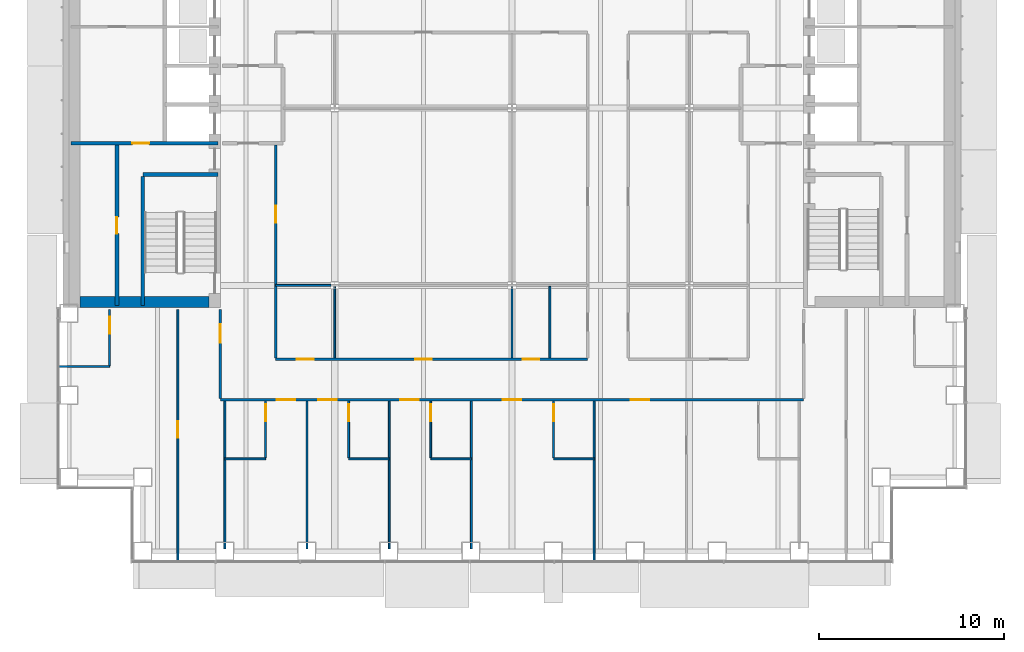
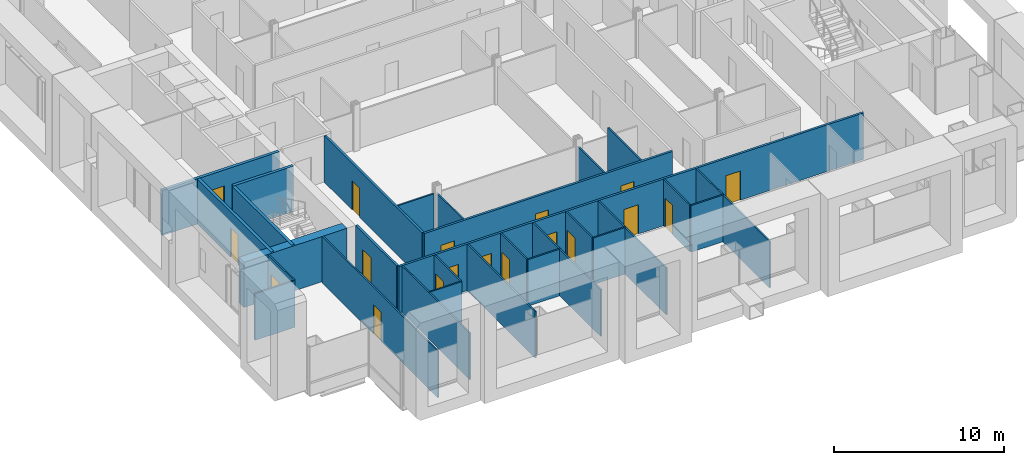
# One storey, part 14 of 25: 29 walls, 18 doors, 18 openings.
"""IFC4 building model written with IfcOpenShell, lengths in metres."""

from ifc_helpers import new_model, si_unit, direction, frame, frame_2d, origin, place, context, subcontext, project, spatial, rectangle, extrude, material, layer, layer_set, type_object, element, fill, save


model = new_model("IFC4")

# Units and contexts
model_context = context("Model", 3, precision=1e-05, world=origin(), true_north=direction((0.0, 1.0)))
body_context = subcontext(model_context, "Body", "Model", "MODEL_VIEW")
ifc_project = project(units=[si_unit("LENGTHUNIT", "METRE"), si_unit("AREAUNIT", "SQUARE_METRE"), si_unit("VOLUMEUNIT", "CUBIC_METRE"), si_unit("PLANEANGLEUNIT", "RADIAN"), si_unit("MASSUNIT", "GRAM", prefix="KILO")], contexts=[model_context])

# Site, building, storey
site_placement = place(None, origin())
site = spatial("IfcSite", under=ifc_project, at=site_placement, CompositionType="ELEMENT")
building_placement = place(site_placement, origin())
building = spatial("IfcBuilding", under=site, at=building_placement, Name="Cobrizo Arcos Hotel Tower", CompositionType="ELEMENT")
storey_placement = place(building_placement, frame((0.0, 0.0, 53.0)))
storey = spatial("IfcBuildingStorey", under=building, at=storey_placement, Name="L11", CompositionType="ELEMENT", Elevation=53.0)

# Wall, openings, doors
ifc_material_1 = material(Name="Gypsum board partition")
ifc_layer_1 = layer(ifc_material_1, 0.14990234375)
ifc_layer_set_1 = layer_set([ifc_layer_1], Name="Corridor wall EI 60 150")
wall_type_1 = type_object("IfcWallType", Name="Corridor wall EI 60 150", PredefinedType="PARTITIONING", material=ifc_layer_set_1)
wall_1_placement = place(storey_placement, frame((-15.800048828125, -15.800048828125, 0.0), z_axis=(0.0, 0.0, 1.0), x_axis=(1.0, 0.0, 0.0)))
wall_1 = element("IfcWall", 1, at=wall_1_placement, inside=storey, type_object=wall_type_1, Name="Partition 006", PredefinedType="PARTITIONING", context=body_context, shape_type="SweptSolid", body=[
    extrude(rectangle(XDim=31.60009765625, YDim=0.14990234375, at=frame_2d((15.800048828125, 0.0))), origin(), (0.0, 0.0, 1.0), 3.35009765625),
])
opening_1_placement = place(wall_1_placement, frame((3.06689453125, 0.0, 0.0)))
opening_1 = element("IfcOpeningElement", 2, at=opening_1_placement, cuts=wall_1, Name="Opening GD-07", PredefinedType="OPENING", context=body_context, shape_type="SweptSolid", body=[
    extrude(rectangle(XDim=1.0, YDim=2.10009765625, at=frame_2d((0.5, 1.050048828125))), frame((0.0, 0.0869140625, 0.0), z_axis=(0.0, -1.0, 0.0), x_axis=(1.0, 0.0, 0.0)), (0.0, 0.0, 1.0), 0.173828125),
])
opening_2_placement = place(wall_1_placement, frame((5.31103515625, 0.0, 0.0)))
opening_2 = element("IfcOpeningElement", 3, at=opening_2_placement, cuts=wall_1, Name="Opening GD-08", PredefinedType="OPENING", context=body_context, shape_type="SweptSolid", body=[
    extrude(rectangle(XDim=1.0, YDim=2.10009765625, at=frame_2d((0.5, 1.050048828125))), frame((0.0, 0.0869140625, 0.0), z_axis=(0.0, -1.0, 0.0), x_axis=(1.0, 0.0, 0.0)), (0.0, 0.0, 1.0), 0.173828125),
])
opening_3_placement = place(wall_1_placement, frame((9.756103515625, 0.0, 0.0)))
opening_3 = element("IfcOpeningElement", 4, at=opening_3_placement, cuts=wall_1, Name="Opening GD-09", PredefinedType="OPENING", context=body_context, shape_type="SweptSolid", body=[
    extrude(rectangle(XDim=1.0, YDim=2.10009765625, at=frame_2d((0.5, 1.050048828125))), frame((0.0, 0.0869140625, 0.0), z_axis=(0.0, -1.0, 0.0), x_axis=(1.0, 0.0, 0.0)), (0.0, 0.0, 1.0), 0.173828125),
])
opening_4_placement = place(wall_1_placement, frame((15.31103515625, 0.0, 0.0)))
opening_4 = element("IfcOpeningElement", 5, at=opening_4_placement, cuts=wall_1, Name="Opening GD-10", PredefinedType="OPENING", context=body_context, shape_type="SweptSolid", body=[
    extrude(rectangle(XDim=1.0, YDim=2.10009765625, at=frame_2d((0.5, 1.050048828125))), frame((0.0, 0.0869140625, 0.0), z_axis=(0.0, -1.0, 0.0), x_axis=(1.0, 0.0, 0.0)), (0.0, 0.0, 1.0), 0.173828125),
])
opening_5_placement = place(wall_1_placement, frame((22.2451171875, 0.0, 0.0)))
opening_5 = element("IfcOpeningElement", 6, at=opening_5_placement, cuts=wall_1, Name="Opening GD-11", PredefinedType="OPENING", context=body_context, shape_type="SweptSolid", body=[
    extrude(rectangle(XDim=1.0, YDim=2.10009765625, at=frame_2d((0.5, 1.050048828125))), frame((0.0, 0.0869140625, 0.0), z_axis=(0.0, -1.0, 0.0), x_axis=(1.0, 0.0, 0.0)), (0.0, 0.0, 1.0), 0.173828125),
])
ifc_material_2 = material(Name="Timber door leaf", Category="wood")
door_type_1 = type_object("IfcDoorType", Name="Guest room door FD30S 1000x2100", OperationType="SINGLE_SWING_LEFT", PredefinedType="DOOR", material=ifc_material_2)
door_1_placement = place(opening_1_placement, origin())
door_1 = element("IfcDoor", 7, at=door_1_placement, inside=storey, type_object=door_type_1, Name="Door GD-07", OperationType="SINGLE_SWING_LEFT", OverallHeight=2.10009765625, OverallWidth=1.0, PredefinedType="DOOR", context=body_context, shape_type="SweptSolid", body=[
    extrude(rectangle(XDim=1.0, YDim=2.10009765625, at=frame_2d((0.5, 1.050048828125))), frame((0.0, 0.02490234375, 0.0), z_axis=(0.0, -1.0, 0.0), x_axis=(1.0, 0.0, 0.0)), (0.0, 0.0, 1.0), 0.050048828125),
])
fill(opening_1, door_1)
door_2_placement = place(opening_2_placement, origin())
door_2 = element("IfcDoor", 8, at=door_2_placement, inside=storey, type_object=door_type_1, Name="Door GD-08", OperationType="SINGLE_SWING_LEFT", OverallHeight=2.10009765625, OverallWidth=1.0, PredefinedType="DOOR", context=body_context, shape_type="SweptSolid", body=[
    extrude(rectangle(XDim=1.0, YDim=2.10009765625, at=frame_2d((0.5, 1.050048828125))), frame((0.0, 0.02490234375, 0.0), z_axis=(0.0, -1.0, 0.0), x_axis=(1.0, 0.0, 0.0)), (0.0, 0.0, 1.0), 0.050048828125),
])
fill(opening_2, door_2)
door_3_placement = place(opening_3_placement, origin())
door_3 = element("IfcDoor", 9, at=door_3_placement, inside=storey, type_object=door_type_1, Name="Door GD-09", OperationType="SINGLE_SWING_LEFT", OverallHeight=2.10009765625, OverallWidth=1.0, PredefinedType="DOOR", context=body_context, shape_type="SweptSolid", body=[
    extrude(rectangle(XDim=1.0, YDim=2.10009765625, at=frame_2d((0.5, 1.050048828125))), frame((0.0, 0.02490234375, 0.0), z_axis=(0.0, -1.0, 0.0), x_axis=(1.0, 0.0, 0.0)), (0.0, 0.0, 1.0), 0.050048828125),
])
fill(opening_3, door_3)
door_4_placement = place(opening_4_placement, origin())
door_4 = element("IfcDoor", 10, at=door_4_placement, inside=storey, type_object=door_type_1, Name="Door GD-10", OperationType="SINGLE_SWING_RIGHT", OverallHeight=2.10009765625, OverallWidth=1.0, PredefinedType="DOOR", context=body_context, shape_type="SweptSolid", body=[
    extrude(rectangle(XDim=1.0, YDim=2.10009765625, at=frame_2d((0.5, 1.050048828125))), frame((0.0, 0.02490234375, 0.0), z_axis=(0.0, -1.0, 0.0), x_axis=(1.0, 0.0, 0.0)), (0.0, 0.0, 1.0), 0.050048828125),
])
fill(opening_4, door_4)
door_5_placement = place(opening_5_placement, origin())
door_5 = element("IfcDoor", 11, at=door_5_placement, inside=storey, type_object=door_type_1, Name="Door GD-11", OperationType="SINGLE_SWING_LEFT", OverallHeight=2.10009765625, OverallWidth=1.0, PredefinedType="DOOR", context=body_context, shape_type="SweptSolid", body=[
    extrude(rectangle(XDim=1.0, YDim=2.10009765625, at=frame_2d((0.5, 1.050048828125))), frame((0.0, 0.02490234375, 0.0), z_axis=(0.0, -1.0, 0.0), x_axis=(1.0, 0.0, 0.0)), (0.0, 0.0, 1.0), 0.050048828125),
])
fill(opening_5, door_5)

wall_2_placement = place(storey_placement, frame((-12.800048828125, -13.60009765625, 0.0), z_axis=(0.0, 0.0, 1.0), x_axis=(1.0, 0.0, 0.0)))
wall_2 = element("IfcWall", 12, at=wall_2_placement, inside=storey, type_object=wall_type_1, Name="Partition 009", PredefinedType="PARTITIONING", context=body_context, shape_type="SweptSolid", body=[
    extrude(rectangle(XDim=16.900146484375, YDim=0.14990234375, at=frame_2d((8.4501953125, 0.0))), origin(), (0.0, 0.0, 1.0), 3.35009765625),
])
opening_6_placement = place(wall_2_placement, frame((1.14990234375, 0.0, 0.0)))
opening_6 = element("IfcOpeningElement", 13, at=opening_6_placement, cuts=wall_2, Name="Opening RD-16", PredefinedType="OPENING", context=body_context, shape_type="SweptSolid", body=[
    extrude(rectangle(XDim=0.89990234375, YDim=2.10009765625, at=frame_2d((0.449951171875, 1.050048828125))), frame((0.0, 0.0869140625, 0.0), z_axis=(0.0, -1.0, 0.0), x_axis=(1.0, 0.0, 0.0)), (0.0, 0.0, 1.0), 0.173828125),
])
opening_7_placement = place(wall_2_placement, frame((13.375, 0.0, 0.0)))
opening_7 = element("IfcOpeningElement", 14, at=opening_7_placement, cuts=wall_2, Name="Opening ED-16", PredefinedType="OPENING", context=body_context, shape_type="SweptSolid", body=[
    extrude(rectangle(XDim=0.89990234375, YDim=2.10009765625, at=frame_2d((0.449951171875, 1.050048828125))), frame((0.0, 0.0869140625, 0.0), z_axis=(0.0, -1.0, 0.0), x_axis=(1.0, 0.0, 0.0)), (0.0, 0.0, 1.0), 0.173828125),
])
opening_8_placement = place(wall_2_placement, frame((7.550048828125, 0.0, 0.0)))
opening_8 = element("IfcOpeningElement", 15, at=opening_8_placement, cuts=wall_2, Name="Opening RD-28", PredefinedType="OPENING", context=body_context, shape_type="SweptSolid", body=[
    extrude(rectangle(XDim=0.89990234375, YDim=2.10009765625, at=frame_2d((0.449951171875, 1.050048828125))), frame((0.0, 0.0869140625, 0.0), z_axis=(0.0, -1.0, 0.0), x_axis=(1.0, 0.0, 0.0)), (0.0, 0.0, 1.0), 0.173828125),
])
door_type_2 = type_object("IfcDoorType", Name="En-suite door 900x2100", OperationType="SINGLE_SWING_LEFT", PredefinedType="DOOR", material=ifc_material_2)
door_6_placement = place(opening_7_placement, origin())
door_6 = element("IfcDoor", 16, at=door_6_placement, inside=storey, type_object=door_type_2, Name="Door ED-16", OperationType="SINGLE_SWING_LEFT", OverallHeight=2.10009765625, OverallWidth=0.89990234375, PredefinedType="DOOR", context=body_context, shape_type="SweptSolid", body=[
    extrude(rectangle(XDim=0.89990234375, YDim=2.10009765625, at=frame_2d((0.449951171875, 1.050048828125))), frame((0.0, 0.02490234375, 0.0), z_axis=(0.0, -1.0, 0.0), x_axis=(1.0, 0.0, 0.0)), (0.0, 0.0, 1.0), 0.050048828125),
])
fill(opening_7, door_6)
door_type_3 = type_object("IfcDoorType", Name="Room door FD30 900x2100", OperationType="SINGLE_SWING_LEFT", PredefinedType="DOOR", material=ifc_material_2)
door_7_placement = place(opening_6_placement, origin())
door_7 = element("IfcDoor", 17, at=door_7_placement, inside=storey, type_object=door_type_3, Name="Door RD-16", OperationType="SINGLE_SWING_RIGHT", OverallHeight=2.10009765625, OverallWidth=0.89990234375, PredefinedType="DOOR", context=body_context, shape_type="SweptSolid", body=[
    extrude(rectangle(XDim=0.89990234375, YDim=2.10009765625, at=frame_2d((0.449951171875, 1.050048828125))), frame((0.0, 0.02490234375, 0.0), z_axis=(0.0, -1.0, 0.0), x_axis=(1.0, 0.0, 0.0)), (0.0, 0.0, 1.0), 0.050048828125),
])
fill(opening_6, door_7)
door_8_placement = place(opening_8_placement, origin())
door_8 = element("IfcDoor", 18, at=door_8_placement, inside=storey, type_object=door_type_3, Name="Door RD-28", OperationType="SINGLE_SWING_LEFT", OverallHeight=2.10009765625, OverallWidth=0.89990234375, PredefinedType="DOOR", context=body_context, shape_type="SweptSolid", body=[
    extrude(rectangle(XDim=0.89990234375, YDim=2.10009765625, at=frame_2d((0.449951171875, 1.050048828125))), frame((0.0, 0.02490234375, 0.0), z_axis=(0.0, -1.0, 0.0), x_axis=(1.0, 0.0, 0.0)), (0.0, 0.0, 1.0), 0.050048828125),
])
fill(opening_8, door_8)

# Wall, opening, door
wall_3_placement = place(storey_placement, frame((-15.800048828125, -15.72509765625, 0.0), z_axis=(0.0, 0.0, 1.0), x_axis=(0.0, 1.0, 0.0)))
wall_3 = element("IfcWall", 19, at=wall_3_placement, inside=storey, type_object=wall_type_1, Name="Partition 072", PredefinedType="PARTITIONING", context=body_context, shape_type="SweptSolid", body=[
    extrude(rectangle(XDim=4.80517578125, YDim=0.14990234375, at=frame_2d((2.402587890625, 0.0))), origin(), (0.0, 0.0, 1.0), 3.35009765625),
])
opening_9_placement = place(wall_3_placement, frame((3.02490234375, 0.0, 0.0)))
opening_9 = element("IfcOpeningElement", 20, at=opening_9_placement, cuts=wall_3, Name="Opening GD-12", PredefinedType="OPENING", context=body_context, shape_type="SweptSolid", body=[
    extrude(rectangle(XDim=1.0, YDim=2.10009765625, at=frame_2d((0.5, 1.050048828125))), frame((0.0, 0.0869140625, 0.0), z_axis=(0.0, -1.0, 0.0), x_axis=(1.0, 0.0, 0.0)), (0.0, 0.0, 1.0), 0.173828125),
])
door_9_placement = place(opening_9_placement, origin())
door_9 = element("IfcDoor", 21, at=door_9_placement, inside=storey, type_object=door_type_1, Name="Door GD-12", OperationType="SINGLE_SWING_LEFT", OverallHeight=2.10009765625, OverallWidth=1.0, PredefinedType="DOOR", context=body_context, shape_type="SweptSolid", body=[
    extrude(rectangle(XDim=1.0, YDim=2.10009765625, at=frame_2d((0.5, 1.050048828125))), frame((0.0, 0.02490234375, 0.0), z_axis=(0.0, -1.0, 0.0), x_axis=(1.0, 0.0, 0.0)), (0.0, 0.0, 1.0), 0.050048828125),
])
fill(opening_9, door_9)

wall_4_placement = place(storey_placement, frame((-12.800048828125, -13.52490234375, 0.0), z_axis=(0.0, 0.0, 1.0), x_axis=(0.0, 1.0, 0.0)))
wall_4 = element("IfcWall", 22, at=wall_4_placement, inside=storey, type_object=wall_type_1, Name="Partition 078", PredefinedType="PARTITIONING", context=body_context, shape_type="SweptSolid", body=[
    extrude(rectangle(XDim=11.52490234375, YDim=0.14990234375, at=frame_2d((5.762451171875, 0.0))), origin(), (0.0, 0.0, 1.0), 3.35009765625),
])
opening_10_placement = place(wall_4_placement, frame((7.324951171875, 0.0, 0.0)))
opening_10 = element("IfcOpeningElement", 23, at=opening_10_placement, cuts=wall_4, Name="Opening RD-32", PredefinedType="OPENING", context=body_context, shape_type="SweptSolid", body=[
    extrude(rectangle(XDim=0.89990234375, YDim=2.10009765625, at=frame_2d((0.449951171875, 1.050048828125))), frame((0.0, 0.0869140625, 0.0), z_axis=(0.0, -1.0, 0.0), x_axis=(1.0, 0.0, 0.0)), (0.0, 0.0, 1.0), 0.173828125),
])
door_10_placement = place(opening_10_placement, origin())
door_10 = element("IfcDoor", 24, at=door_10_placement, inside=storey, type_object=door_type_3, Name="Door RD-32", OperationType="SINGLE_SWING_LEFT", OverallHeight=2.10009765625, OverallWidth=0.89990234375, PredefinedType="DOOR", context=body_context, shape_type="SweptSolid", body=[
    extrude(rectangle(XDim=0.89990234375, YDim=2.10009765625, at=frame_2d((0.449951171875, 1.050048828125))), frame((0.0, 0.02490234375, 0.0), z_axis=(0.0, -1.0, 0.0), x_axis=(1.0, 0.0, 0.0)), (0.0, 0.0, 1.0), 0.050048828125),
])
fill(opening_10, door_10)

# Walls
ifc_layer_2 = layer(ifc_material_1, 0.10009765625)
ifc_layer_set_2 = layer_set([ifc_layer_2], Name="Partition EI 30 100")
wall_type_2 = type_object("IfcWallType", Name="Partition EI 30 100", PredefinedType="PARTITIONING", material=ifc_layer_set_2)
wall_5_placement = place(storey_placement, frame((-15.550048828125, -19.0, 0.0), z_axis=(0.0, 0.0, 1.0), x_axis=(1.0, 0.0, 0.0)))
element("IfcWall", 25, at=wall_5_placement, inside=storey, type_object=wall_type_2, Name="Partition 001", PredefinedType="PARTITIONING", context=body_context, shape_type="SweptSolid", body=[
    extrude(rectangle(XDim=2.199951171875, YDim=0.10009765625, at=frame_2d((1.10009765625, 0.0))), origin(), (0.0, 0.0, 1.0), 3.35009765625),
])
wall_6_placement = place(storey_placement, frame((-8.85009765625, -19.0, 0.0), z_axis=(0.0, 0.0, 1.0), x_axis=(1.0, 0.0, 0.0)))
element("IfcWall", 26, at=wall_6_placement, inside=storey, type_object=wall_type_2, Name="Partition 002", PredefinedType="PARTITIONING", context=body_context, shape_type="SweptSolid", body=[
    extrude(rectangle(XDim=2.2001953125, YDim=0.10009765625, at=frame_2d((1.10009765625, 0.0))), origin(), (0.0, 0.0, 1.0), 3.35009765625),
])
for number, where, z_axis, x_axis, name in (
    (27, (-4.39990234375, -19.0, 0.0), (0.0, 0.0, 1.0), (1.0, 0.0, 0.0), "Partition 003"),
    (28, (2.25, -19.0, 0.0), (0.0, 0.0, 1.0), (1.0, 0.0, 0.0), "Partition 004"),
):
    element("IfcWall", number, at=place(storey_placement, frame(where, z_axis=z_axis, x_axis=x_axis)), inside=storey, type_object=wall_type_2, Name=name, PredefinedType="PARTITIONING", context=body_context, shape_type="SweptSolid", body=[
        extrude(rectangle(XDim=2.199951171875, YDim=0.10009765625, at=frame_2d((1.10009765625, 0.0))), origin(), (0.0, 0.0, 1.0), 3.35009765625),
    ])
wall_7_placement = place(storey_placement, frame((-24.530029296875, -14.0, 0.0), z_axis=(0.0, 0.0, 1.0), x_axis=(1.0, 0.0, 0.0)))
element("IfcWall", 29, at=wall_7_placement, inside=storey, type_object=wall_type_2, Name="Partition 007", PredefinedType="PARTITIONING", context=body_context, shape_type="SweptSolid", body=[
    extrude(rectangle(XDim=2.72998046875, YDim=0.10009765625, at=frame_2d((1.364990234375, 0.0))), origin(), (0.0, 0.0, 1.0), 3.35009765625),
])
wall_8_placement = place(storey_placement, frame((-12.800048828125, -9.60009765625, 0.0), z_axis=(0.0, 0.0, 1.0), x_axis=(1.0, 0.0, 0.0)))
element("IfcWall", 30, at=wall_8_placement, inside=storey, type_object=wall_type_2, Name="Partition 011", PredefinedType="PARTITIONING", context=body_context, shape_type="SweptSolid", body=[
    extrude(rectangle(XDim=2.99609375, YDim=0.10009765625, at=frame_2d((1.498046875, 0.0))), origin(), (0.0, 0.0, 1.0), 2.72802734375),
])

# Wall, opening, door
wall_9_placement = place(storey_placement, frame((-21.800048828125, -13.949951171875, 0.0), z_axis=(0.0, 0.0, 1.0), x_axis=(0.0, 1.0, 0.0)))
wall_9 = element("IfcWall", 31, at=wall_9_placement, inside=storey, type_object=wall_type_2, Name="Partition 064", PredefinedType="PARTITIONING", context=body_context, shape_type="SweptSolid", body=[
    extrude(rectangle(XDim=3.030029296875, YDim=0.10009765625, at=frame_2d((1.51513671875, 0.0))), origin(), (0.0, 0.0, 1.0), 3.35009765625),
])
opening_11_placement = place(wall_9_placement, frame((1.739990234375, 0.0, 0.0)))
opening_11 = element("IfcOpeningElement", 32, at=opening_11_placement, cuts=wall_9, Name="Opening ED-12", PredefinedType="OPENING", context=body_context, shape_type="SweptSolid", body=[
    extrude(rectangle(XDim=0.89990234375, YDim=2.10009765625, at=frame_2d((0.449951171875, 1.050048828125))), frame((0.0, 0.06201171875, 0.0), z_axis=(0.0, -1.0, 0.0), x_axis=(1.0, 0.0, 0.0)), (0.0, 0.0, 1.0), 0.1240234375),
])
door_11_placement = place(opening_11_placement, origin())
door_11 = element("IfcDoor", 33, at=door_11_placement, inside=storey, type_object=door_type_2, Name="Door ED-12", OperationType="SINGLE_SWING_LEFT", OverallHeight=2.10009765625, OverallWidth=0.89990234375, PredefinedType="DOOR", context=body_context, shape_type="SweptSolid", body=[
    extrude(rectangle(XDim=0.89990234375, YDim=2.10009765625, at=frame_2d((0.449951171875, 1.050048828125))), frame((0.0, 0.02490234375, 0.0), z_axis=(0.0, -1.0, 0.0), x_axis=(1.0, 0.0, 0.0)), (0.0, 0.0, 1.0), 0.050048828125),
])
fill(opening_11, door_11)

wall_10_placement = place(storey_placement, frame((-18.10009765625, -24.530029296875, 0.0), z_axis=(0.0, 0.0, 1.0), x_axis=(0.0, 1.0, 0.0)))
wall_10 = element("IfcWall", 34, at=wall_10_placement, inside=storey, type_object=wall_type_2, Name="Partition 071", PredefinedType="PARTITIONING", context=body_context, shape_type="SweptSolid", body=[
    extrude(rectangle(XDim=13.610107421875, YDim=0.10009765625, at=frame_2d((6.80517578125, 0.0))), origin(), (0.0, 0.0, 1.0), 3.35009765625),
])
opening_12_placement = place(wall_10_placement, frame((6.679931640625, 0.0, 0.0)))
opening_12 = element("IfcOpeningElement", 35, at=opening_12_placement, cuts=wall_10, Name="Opening RD-08", PredefinedType="OPENING", context=body_context, shape_type="SweptSolid", body=[
    extrude(rectangle(XDim=0.89990234375, YDim=2.10009765625, at=frame_2d((0.449951171875, 1.050048828125))), frame((0.0, 0.06201171875, 0.0), z_axis=(0.0, -1.0, 0.0), x_axis=(1.0, 0.0, 0.0)), (0.0, 0.0, 1.0), 0.1240234375),
])
door_12_placement = place(opening_12_placement, origin())
door_12 = element("IfcDoor", 36, at=door_12_placement, inside=storey, type_object=door_type_3, Name="Door RD-08", OperationType="SINGLE_SWING_RIGHT", OverallHeight=2.10009765625, OverallWidth=0.89990234375, PredefinedType="DOOR", context=body_context, shape_type="SweptSolid", body=[
    extrude(rectangle(XDim=0.89990234375, YDim=2.10009765625, at=frame_2d((0.449951171875, 1.050048828125))), frame((0.0, 0.02490234375, 0.0), z_axis=(0.0, -1.0, 0.0), x_axis=(1.0, 0.0, 0.0)), (0.0, 0.0, 1.0), 0.050048828125),
])
fill(opening_12, door_12)

# Wall
wall_11_placement = place(storey_placement, frame((-15.550048828125, -23.8798828125, 0.0), z_axis=(0.0, 0.0, 1.0), x_axis=(0.0, 1.0, 0.0)))
element("IfcWall", 37, at=wall_11_placement, inside=storey, type_object=wall_type_2, Name="Partition 074", PredefinedType="PARTITIONING", context=body_context, shape_type="SweptSolid", body=[
    extrude(rectangle(XDim=8.0048828125, YDim=0.10009765625, at=frame_2d((4.00244140625, 0.0))), origin(), (0.0, 0.0, 1.0), 3.35009765625),
])

# Wall, opening, door
wall_12_placement = place(storey_placement, frame((-13.35009765625, -18.949951171875, 0.0), z_axis=(0.0, 0.0, 1.0), x_axis=(0.0, 1.0, 0.0)))
wall_12 = element("IfcWall", 38, at=wall_12_placement, inside=storey, type_object=wall_type_2, Name="Partition 076", PredefinedType="PARTITIONING", context=body_context, shape_type="SweptSolid", body=[
    extrude(rectangle(XDim=3.074951171875, YDim=0.10009765625, at=frame_2d((1.53759765625, 0.0))), origin(), (0.0, 0.0, 1.0), 3.35009765625),
])
opening_13_placement = place(wall_12_placement, frame((1.99609375, 0.0, 0.0)))
opening_13 = element("IfcOpeningElement", 39, at=opening_13_placement, cuts=wall_12, Name="Opening ED-07", PredefinedType="OPENING", context=body_context, shape_type="SweptSolid", body=[
    extrude(rectangle(XDim=0.89990234375, YDim=2.10009765625, at=frame_2d((0.449951171875, 1.050048828125))), frame((0.0, 0.06201171875, 0.0), z_axis=(0.0, -1.0, 0.0), x_axis=(1.0, 0.0, 0.0)), (0.0, 0.0, 1.0), 0.1240234375),
])
door_13_placement = place(opening_13_placement, origin())
door_13 = element("IfcDoor", 40, at=door_13_placement, inside=storey, type_object=door_type_2, Name="Door ED-07", OperationType="SINGLE_SWING_LEFT", OverallHeight=2.10009765625, OverallWidth=0.89990234375, PredefinedType="DOOR", context=body_context, shape_type="SweptSolid", body=[
    extrude(rectangle(XDim=0.89990234375, YDim=2.10009765625, at=frame_2d((0.449951171875, 1.050048828125))), frame((0.0, 0.02490234375, 0.0), z_axis=(0.0, -1.0, 0.0), x_axis=(1.0, 0.0, 0.0)), (0.0, 0.0, 1.0), 0.050048828125),
])
fill(opening_13, door_13)

# Walls
wall_13_placement = place(storey_placement, frame((-11.10009765625, -23.8798828125, 0.0), z_axis=(0.0, 0.0, 1.0), x_axis=(0.0, 1.0, 0.0)))
element("IfcWall", 41, at=wall_13_placement, inside=storey, type_object=wall_type_2, Name="Partition 083", PredefinedType="PARTITIONING", context=body_context, shape_type="SweptSolid", body=[
    extrude(rectangle(XDim=8.0048828125, YDim=0.10009765625, at=frame_2d((4.00244140625, 0.0))), origin(), (0.0, 0.0, 1.0), 3.35009765625),
])
wall_14_placement = place(storey_placement, frame((-9.60009765625, -13.52490234375, 0.0), z_axis=(0.0, 0.0, 1.0), x_axis=(0.0, 1.0, 0.0)))
element("IfcWall", 42, at=wall_14_placement, inside=storey, type_object=wall_type_2, Name="Partition 084", PredefinedType="PARTITIONING", context=body_context, shape_type="SweptSolid", body=[
    extrude(rectangle(XDim=3.875, YDim=0.10009765625, at=frame_2d((1.9375, 0.0))), origin(), (0.0, 0.0, 1.0), 2.72802734375),
])

# Wall, opening, door
wall_15_placement = place(storey_placement, frame((-8.85009765625, -18.949951171875, 0.0), z_axis=(0.0, 0.0, 1.0), x_axis=(0.0, 1.0, 0.0)))
wall_15 = element("IfcWall", 43, at=wall_15_placement, inside=storey, type_object=wall_type_2, Name="Partition 089", PredefinedType="PARTITIONING", context=body_context, shape_type="SweptSolid", body=[
    extrude(rectangle(XDim=3.074951171875, YDim=0.10009765625, at=frame_2d((1.53759765625, 0.0))), origin(), (0.0, 0.0, 1.0), 3.35009765625),
])
opening_14_placement = place(wall_15_placement, frame((1.99609375, 0.0, 0.0)))
opening_14 = element("IfcOpeningElement", 44, at=opening_14_placement, cuts=wall_15, Name="Opening ED-08", PredefinedType="OPENING", context=body_context, shape_type="SweptSolid", body=[
    extrude(rectangle(XDim=0.89990234375, YDim=2.10009765625, at=frame_2d((0.449951171875, 1.050048828125))), frame((0.0, 0.06201171875, 0.0), z_axis=(0.0, -1.0, 0.0), x_axis=(1.0, 0.0, 0.0)), (0.0, 0.0, 1.0), 0.1240234375),
])
door_14_placement = place(opening_14_placement, origin())
door_14 = element("IfcDoor", 45, at=door_14_placement, inside=storey, type_object=door_type_2, Name="Door ED-08", OperationType="SINGLE_SWING_LEFT", OverallHeight=2.10009765625, OverallWidth=0.89990234375, PredefinedType="DOOR", context=body_context, shape_type="SweptSolid", body=[
    extrude(rectangle(XDim=0.89990234375, YDim=2.10009765625, at=frame_2d((0.449951171875, 1.050048828125))), frame((0.0, 0.02490234375, 0.0), z_axis=(0.0, -1.0, 0.0), x_axis=(1.0, 0.0, 0.0)), (0.0, 0.0, 1.0), 0.050048828125),
])
fill(opening_14, door_14)

# Wall
wall_16_placement = place(storey_placement, frame((-6.64990234375, -23.8798828125, 0.0), z_axis=(0.0, 0.0, 1.0), x_axis=(0.0, 1.0, 0.0)))
element("IfcWall", 46, at=wall_16_placement, inside=storey, type_object=wall_type_2, Name="Partition 091", PredefinedType="PARTITIONING", context=body_context, shape_type="SweptSolid", body=[
    extrude(rectangle(XDim=8.0048828125, YDim=0.10009765625, at=frame_2d((4.00244140625, 0.0))), origin(), (0.0, 0.0, 1.0), 3.35009765625),
])

# Wall, opening, door
wall_17_placement = place(storey_placement, frame((-4.39990234375, -18.949951171875, 0.0), z_axis=(0.0, 0.0, 1.0), x_axis=(0.0, 1.0, 0.0)))
wall_17 = element("IfcWall", 47, at=wall_17_placement, inside=storey, type_object=wall_type_2, Name="Partition 093", PredefinedType="PARTITIONING", context=body_context, shape_type="SweptSolid", body=[
    extrude(rectangle(XDim=3.074951171875, YDim=0.10009765625, at=frame_2d((1.53759765625, 0.0))), origin(), (0.0, 0.0, 1.0), 3.35009765625),
])
opening_15_placement = place(wall_17_placement, frame((1.99609375, 0.0, 0.0)))
opening_15 = element("IfcOpeningElement", 48, at=opening_15_placement, cuts=wall_17, Name="Opening ED-09", PredefinedType="OPENING", context=body_context, shape_type="SweptSolid", body=[
    extrude(rectangle(XDim=0.89990234375, YDim=2.10009765625, at=frame_2d((0.449951171875, 1.050048828125))), frame((0.0, 0.06201171875, 0.0), z_axis=(0.0, -1.0, 0.0), x_axis=(1.0, 0.0, 0.0)), (0.0, 0.0, 1.0), 0.1240234375),
])
door_15_placement = place(opening_15_placement, origin())
door_15 = element("IfcDoor", 49, at=door_15_placement, inside=storey, type_object=door_type_2, Name="Door ED-09", OperationType="SINGLE_SWING_RIGHT", OverallHeight=2.10009765625, OverallWidth=0.89990234375, PredefinedType="DOOR", context=body_context, shape_type="SweptSolid", body=[
    extrude(rectangle(XDim=0.89990234375, YDim=2.10009765625, at=frame_2d((0.449951171875, 1.050048828125))), frame((0.0, 0.02490234375, 0.0), z_axis=(0.0, -1.0, 0.0), x_axis=(1.0, 0.0, 0.0)), (0.0, 0.0, 1.0), 0.050048828125),
])
fill(opening_15, door_15)

# Walls
wall_18_placement = place(storey_placement, frame((-2.199951171875, -23.8798828125, 0.0), z_axis=(0.0, 0.0, 1.0), x_axis=(0.0, 1.0, 0.0)))
element("IfcWall", 50, at=wall_18_placement, inside=storey, type_object=wall_type_2, Name="Partition 095", PredefinedType="PARTITIONING", context=body_context, shape_type="SweptSolid", body=[
    extrude(rectangle(XDim=8.0048828125, YDim=0.10009765625, at=frame_2d((4.00244140625, 0.0))), origin(), (0.0, 0.0, 1.0), 3.35009765625),
])
wall_19_placement = place(storey_placement, frame((0.0, -13.52490234375, 0.0), z_axis=(0.0, 0.0, 1.0), x_axis=(0.0, 1.0, 0.0)))
element("IfcWall", 51, at=wall_19_placement, inside=storey, type_object=wall_type_2, Name="Partition 096", PredefinedType="PARTITIONING", context=body_context, shape_type="SweptSolid", body=[
    extrude(rectangle(XDim=3.875, YDim=0.10009765625, at=frame_2d((1.9375, 0.0))), origin(), (0.0, 0.0, 1.0), 2.72802734375),
])
wall_20_placement = place(storey_placement, frame((2.050048828125, -13.52490234375, 0.0), z_axis=(0.0, 0.0, 1.0), x_axis=(0.0, 1.0, 0.0)))
element("IfcWall", 52, at=wall_20_placement, inside=storey, type_object=wall_type_2, Name="Partition 102", PredefinedType="PARTITIONING", context=body_context, shape_type="SweptSolid", body=[
    extrude(rectangle(XDim=3.875, YDim=0.10009765625, at=frame_2d((1.9375, 0.0))), origin(), (0.0, 0.0, 1.0), 3.35009765625),
])

# Wall, opening, door
wall_21_placement = place(storey_placement, frame((2.25, -18.949951171875, 0.0), z_axis=(0.0, 0.0, 1.0), x_axis=(0.0, 1.0, 0.0)))
wall_21 = element("IfcWall", 53, at=wall_21_placement, inside=storey, type_object=wall_type_2, Name="Partition 103", PredefinedType="PARTITIONING", context=body_context, shape_type="SweptSolid", body=[
    extrude(rectangle(XDim=3.074951171875, YDim=0.10009765625, at=frame_2d((1.53759765625, 0.0))), origin(), (0.0, 0.0, 1.0), 3.35009765625),
])
opening_16_placement = place(wall_21_placement, frame((1.99609375, 0.0, 0.0)))
opening_16 = element("IfcOpeningElement", 54, at=opening_16_placement, cuts=wall_21, Name="Opening ED-10", PredefinedType="OPENING", context=body_context, shape_type="SweptSolid", body=[
    extrude(rectangle(XDim=0.89990234375, YDim=2.10009765625, at=frame_2d((0.449951171875, 1.050048828125))), frame((0.0, 0.06201171875, 0.0), z_axis=(0.0, -1.0, 0.0), x_axis=(1.0, 0.0, 0.0)), (0.0, 0.0, 1.0), 0.1240234375),
])
door_16_placement = place(opening_16_placement, origin())
door_16 = element("IfcDoor", 55, at=door_16_placement, inside=storey, type_object=door_type_2, Name="Door ED-10", OperationType="SINGLE_SWING_LEFT", OverallHeight=2.10009765625, OverallWidth=0.89990234375, PredefinedType="DOOR", context=body_context, shape_type="SweptSolid", body=[
    extrude(rectangle(XDim=0.89990234375, YDim=2.10009765625, at=frame_2d((0.449951171875, 1.050048828125))), frame((0.0, 0.02490234375, 0.0), z_axis=(0.0, -1.0, 0.0), x_axis=(1.0, 0.0, 0.0)), (0.0, 0.0, 1.0), 0.050048828125),
])
fill(opening_16, door_16)

# Walls
wall_22_placement = place(storey_placement, frame((4.449951171875, -24.530029296875, 0.0), z_axis=(0.0, 0.0, 1.0), x_axis=(0.0, 1.0, 0.0)))
element("IfcWall", 56, at=wall_22_placement, inside=storey, type_object=wall_type_2, Name="Partition 106", PredefinedType="PARTITIONING", context=body_context, shape_type="SweptSolid", body=[
    extrude(rectangle(XDim=8.655029296875, YDim=0.10009765625, at=frame_2d((4.32763671875, 0.0))), origin(), (0.0, 0.0, 1.0), 3.35009765625),
])
ifc_material_3 = material(Name="Concrete f'c 60 MPa", Category="concrete")
ifc_layer_3 = layer(ifc_material_3, 0.60009765625)
ifc_layer_set_3 = layer_set([ifc_layer_3], Name="RC core wall 600 f'c 60")
wall_type_3 = type_object("IfcWallType", Name="RC core wall 600 f'c 60", PredefinedType="SHEAR", material=ifc_layer_set_3)
wall_23_placement = place(storey_placement, frame((-23.39990234375, -10.5, 0.0), z_axis=(0.0, 0.0, 1.0), x_axis=(1.0, 0.0, 0.0)))
element("IfcWall", 57, at=wall_23_placement, inside=storey, type_object=wall_type_3, Name="Core wall CW1, west core, south end, L11", PredefinedType="SHEAR", context=body_context, shape_type="SweptSolid", body=[
    extrude(rectangle(XDim=7.0, YDim=0.60009765625, at=frame_2d((3.5, 0.0))), origin(), (0.0, 0.0, 1.0), 3.25),
])

# Wall, opening, door
ifc_layer_4 = layer(ifc_material_1, 0.199951171875)
ifc_layer_set_4 = layer_set([ifc_layer_4], Name="Shaft wall EI 120 200")
wall_type_4 = type_object("IfcWallType", Name="Shaft wall EI 120 200", PredefinedType="PARTITIONING", material=ifc_layer_set_4)
wall_24_placement = place(storey_placement, frame((-23.8798828125, -1.89990234375, 0.0), z_axis=(0.0, 0.0, 1.0), x_axis=(1.0, 0.0, 0.0)))
wall_24 = element("IfcWall", 58, at=wall_24_placement, inside=storey, type_object=wall_type_4, Name="Partition 021", PredefinedType="PARTITIONING", context=body_context, shape_type="SweptSolid", body=[
    extrude(rectangle(XDim=7.9599609375, YDim=0.199951171875, at=frame_2d((3.97998046875, 0.0))), origin(), (0.0, 0.0, 1.0), 3.25),
])
opening_17_placement = place(wall_24_placement, frame((3.320068359375, 0.0, 0.0)))
opening_17 = element("IfcOpeningElement", 59, at=opening_17_placement, cuts=wall_24, Name="Opening RD-02", PredefinedType="OPENING", context=body_context, shape_type="SweptSolid", body=[
    extrude(rectangle(XDim=0.89990234375, YDim=2.10009765625, at=frame_2d((0.449951171875, 1.050048828125))), frame((0.0, 0.112060546875, 0.0), z_axis=(0.0, -1.0, 0.0), x_axis=(1.0, 0.0, 0.0)), (0.0, 0.0, 1.0), 0.223876953125),
])
door_17_placement = place(opening_17_placement, origin())
door_17 = element("IfcDoor", 60, at=door_17_placement, inside=storey, type_object=door_type_3, Name="Door RD-02", OperationType="SINGLE_SWING_RIGHT", OverallHeight=2.10009765625, OverallWidth=0.89990234375, PredefinedType="DOOR", context=body_context, shape_type="SweptSolid", body=[
    extrude(rectangle(XDim=0.89990234375, YDim=2.10009765625, at=frame_2d((0.449951171875, 1.050048828125))), frame((0.0, 0.02490234375, 0.0), z_axis=(0.0, -1.0, 0.0), x_axis=(1.0, 0.0, 0.0)), (0.0, 0.0, 1.0), 0.050048828125),
])
fill(opening_17, door_17)

wall_25_placement = place(storey_placement, frame((-21.39990234375, -10.679931640625, 0.0), z_axis=(0.0, 0.0, 1.0), x_axis=(0.0, 1.0, 0.0)))
wall_25 = element("IfcWall", 61, at=wall_25_placement, inside=storey, type_object=wall_type_4, Name="Partition 066", PredefinedType="PARTITIONING", context=body_context, shape_type="SweptSolid", body=[
    extrude(rectangle(XDim=8.679931640625, YDim=0.199951171875, at=frame_2d((4.33984375, 0.0))), origin(), (0.0, 0.0, 1.0), 3.25),
])
opening_18_placement = place(wall_25_placement, frame((3.8798828125, 0.0, 0.0)))
opening_18 = element("IfcOpeningElement", 62, at=opening_18_placement, cuts=wall_25, Name="Opening RD-01", PredefinedType="OPENING", context=body_context, shape_type="SweptSolid", body=[
    extrude(rectangle(XDim=0.89990234375, YDim=2.10009765625, at=frame_2d((0.449951171875, 1.050048828125))), frame((0.0, 0.112060546875, 0.0), z_axis=(0.0, -1.0, 0.0), x_axis=(1.0, 0.0, 0.0)), (0.0, 0.0, 1.0), 0.223876953125),
])
door_18_placement = place(opening_18_placement, origin())
door_18 = element("IfcDoor", 63, at=door_18_placement, inside=storey, type_object=door_type_3, Name="Door RD-01", OperationType="SINGLE_SWING_LEFT", OverallHeight=2.10009765625, OverallWidth=0.89990234375, PredefinedType="DOOR", context=body_context, shape_type="SweptSolid", body=[
    extrude(rectangle(XDim=0.89990234375, YDim=2.10009765625, at=frame_2d((0.449951171875, 1.050048828125))), frame((0.0, 0.02490234375, 0.0), z_axis=(0.0, -1.0, 0.0), x_axis=(1.0, 0.0, 0.0)), (0.0, 0.0, 1.0), 0.050048828125),
])
fill(opening_18, door_18)

# Walls
ifc_material_4 = material(Name="Concrete f'c 40 MPa", Category="concrete")
ifc_layer_5 = layer(ifc_material_4, 0.199951171875)
ifc_layer_set_5 = layer_set([ifc_layer_5], Name="Stair shaft wall 200")
wall_type_5 = type_object("IfcWallType", Name="Stair shaft wall 200", PredefinedType="SHEAR", material=ifc_layer_set_5)
wall_26_placement = place(storey_placement, frame((-20.0, -3.60009765625, 0.0), z_axis=(0.0, 0.0, 1.0), x_axis=(1.0, 0.0, 0.0)))
element("IfcWall", 64, at=wall_26_placement, inside=storey, type_object=wall_type_5, Name="Stair shaft wall W", PredefinedType="SHEAR", context=body_context, shape_type="SweptSolid", body=[
    extrude(rectangle(XDim=4.080078125, YDim=0.199951171875, at=frame_2d((2.0400390625, 0.0))), origin(), (0.0, 0.0, 1.0), 3.25),
])
wall_27_placement = place(storey_placement, frame((-20.0, -10.679931640625, 0.0), z_axis=(0.0, 0.0, 1.0), x_axis=(0.0, 1.0, 0.0)))
element("IfcWall", 65, at=wall_27_placement, inside=storey, type_object=wall_type_5, Name="Stair shaft wall W", PredefinedType="SHEAR", context=body_context, shape_type="SweptSolid", body=[
    extrude(rectangle(XDim=6.97998046875, YDim=0.199951171875, at=frame_2d((3.489990234375, 0.0))), origin(), (0.0, 0.0, 1.0), 3.25),
])

save(model, "model.ifc")
